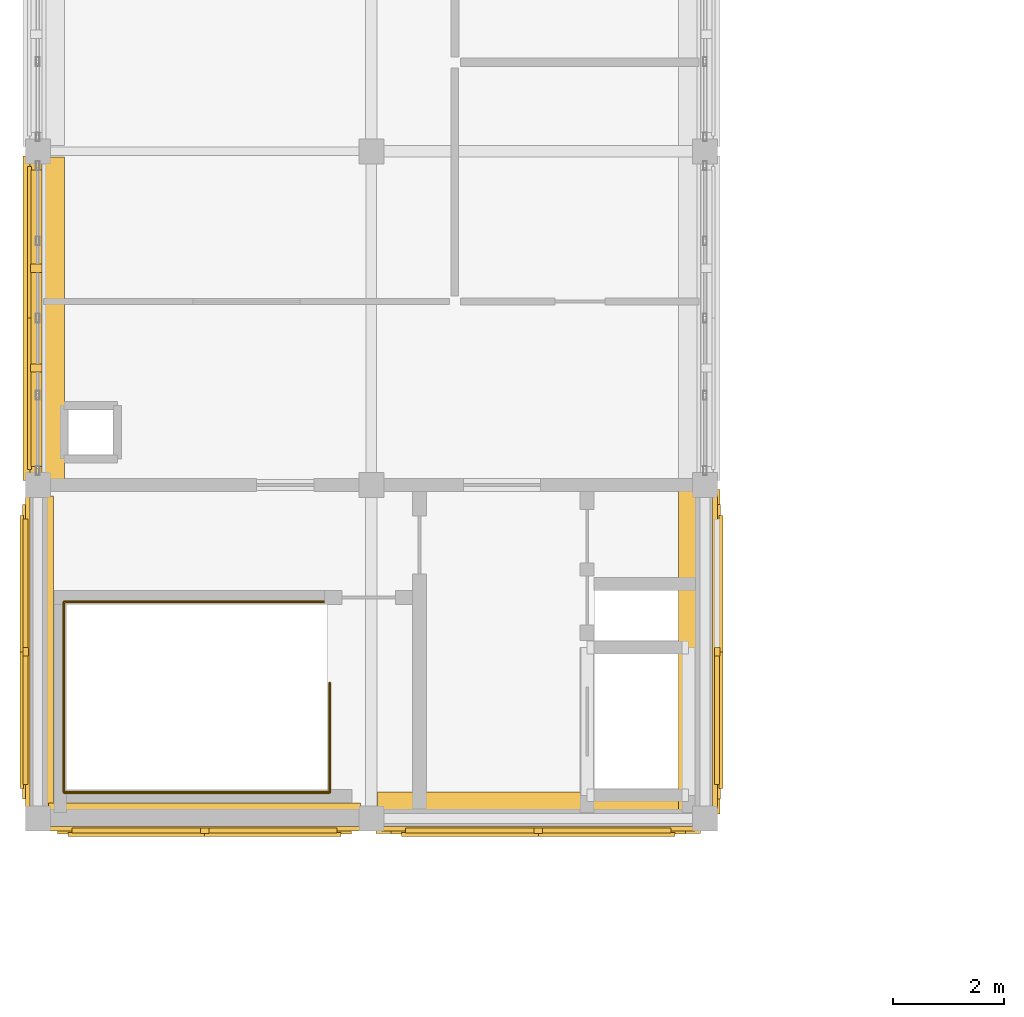
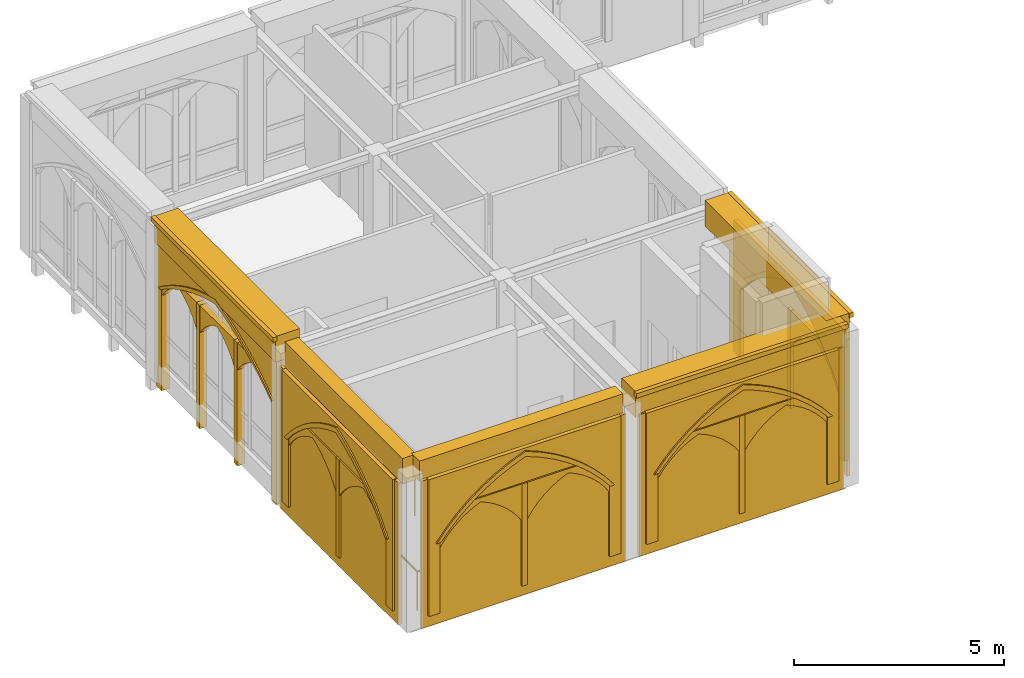
# One storey, part 47 of 59: 38 coverings, 1 railing.
"""IFC4 building model written with IfcOpenShell, lengths in metres."""

from ifc_helpers import new_model, si_unit, direction, frame, origin, origin_2d, place, context, subcontext, project, spatial, polyline, rectangle, circle, outline, extrude, material, type_object, element, save


model = new_model("IFC4")

# Units and contexts
model_context = context("Model", 3, precision=1e-05, world=origin(), true_north=direction((0.0, 1.0)))
body_context = subcontext(model_context, "Body", "Model", "MODEL_VIEW")
ifc_project = project(units=[si_unit("LENGTHUNIT", "METRE"), si_unit("AREAUNIT", "SQUARE_METRE"), si_unit("VOLUMEUNIT", "CUBIC_METRE"), si_unit("PLANEANGLEUNIT", "RADIAN"), si_unit("MASSUNIT", "GRAM", prefix="KILO")], contexts=[model_context])

# Site, building, storey
site_placement = place(None, origin())
site = spatial("IfcSite", under=ifc_project, at=site_placement, CompositionType="ELEMENT")
building_placement = place(site_placement, origin())
building = spatial("IfcBuilding", under=site, at=building_placement, Name="Cumevento Cable Car Station", CompositionType="ELEMENT")
storey_placement = place(building_placement, frame((0.0, 0.0, 18.0)))
storey = spatial("IfcBuildingStorey", under=building, at=storey_placement, Name="L05", CompositionType="ELEMENT", Elevation=18.0)

# Railing
ifc_material_1 = material(Name="Painted Galvanised Architectural Steel", Category="steel")
railing_type = type_object("IfcRailingType", Name="Stair Guardrail GR-S115", PredefinedType="GUARDRAIL", material=ifc_material_1)
railing_placement = place(storey_placement, frame((15.25, 29.43994140625, 0.0)))
element("IfcRailing", 1, at=railing_placement, inside=storey, type_object=railing_type, Name="Stairwell Opening Rim Guard ST-03-L04 L05", PredefinedType="GUARDRAIL", context=body_context, shape_type="SweptSolid", body=[
    extrude(circle(Radius=0.02392578125, at=origin_2d()), frame((0.0, 0.0, 1.1259765625), z_axis=(0.0, -1.0, 0.0), x_axis=(1.0, 0.0, 0.0)), (0.0, 0.0, 1.0), 1.969970703125),
    extrude(circle(Radius=0.02392578125, at=origin_2d()), frame((0.0, -1.969970703125, 1.1259765625), z_axis=(-1.0, 0.0, 0.0), x_axis=(0.0, -1.0, 0.0)), (0.0, 0.0, 1.0), 4.780029296875),
    extrude(circle(Radius=0.02392578125, at=origin_2d()), frame((-4.780029296875, -1.969970703125, 1.1259765625), z_axis=(0.0, 1.0, 0.0), x_axis=(-1.0, 0.0, 0.0)), (0.0, 0.0, 1.0), 3.429931640625),
    extrude(circle(Radius=0.02392578125, at=origin_2d()), frame((-4.780029296875, 1.4599609375, 1.1259765625), z_axis=(1.0, 0.0, 0.0), x_axis=(0.0, 1.0, 0.0)), (0.0, 0.0, 1.0), 4.780029296875),
    extrude(circle(Radius=0.02001953125, at=origin_2d()), origin(), (0.0, 0.0, 1.0), 1.101806640625),
    extrude(circle(Radius=0.02001953125, at=origin_2d()), frame((0.0, -0.98486328125, 0.0)), (0.0, 0.0, 1.0), 1.101806640625),
    extrude(circle(Radius=0.02001953125, at=origin_2d()), frame((0.0, -1.969970703125, 0.0)), (0.0, 0.0, 1.0), 1.101806640625),
    extrude(circle(Radius=0.02001953125, at=origin_2d()), frame((-0.9560546875, -1.969970703125, 0.0)), (0.0, 0.0, 1.0), 1.101806640625),
    extrude(circle(Radius=0.02001953125, at=origin_2d()), frame((-1.912109375, -1.969970703125, 0.0)), (0.0, 0.0, 1.0), 1.101806640625),
    extrude(circle(Radius=0.02001953125, at=origin_2d()), frame((-2.867919921875, -1.969970703125, 0.0)), (0.0, 0.0, 1.0), 1.101806640625),
    extrude(circle(Radius=0.02001953125, at=origin_2d()), frame((-3.823974609375, -1.969970703125, 0.0)), (0.0, 0.0, 1.0), 1.101806640625),
    extrude(circle(Radius=0.02001953125, at=origin_2d()), frame((-4.780029296875, -1.969970703125, 0.0)), (0.0, 0.0, 1.0), 1.101806640625),
    extrude(circle(Radius=0.02001953125, at=origin_2d()), frame((-4.780029296875, -1.112548828125, 0.0)), (0.0, 0.0, 1.0), 1.101806640625),
    extrude(circle(Radius=0.02001953125, at=origin_2d()), frame((-4.780029296875, -0.2548828125, 0.0)), (0.0, 0.0, 1.0), 1.101806640625),
    extrude(circle(Radius=0.02001953125, at=origin_2d()), frame((-4.780029296875, 0.6025390625, 0.0)), (0.0, 0.0, 1.0), 1.101806640625),
    extrude(circle(Radius=0.02001953125, at=origin_2d()), frame((-4.780029296875, 1.4599609375, 0.0)), (0.0, 0.0, 1.0), 1.101806640625),
    extrude(circle(Radius=0.02001953125, at=origin_2d()), frame((-3.823974609375, 1.4599609375, 0.0)), (0.0, 0.0, 1.0), 1.101806640625),
    extrude(circle(Radius=0.02001953125, at=origin_2d()), frame((-2.867919921875, 1.4599609375, 0.0)), (0.0, 0.0, 1.0), 1.101806640625),
    extrude(circle(Radius=0.02001953125, at=origin_2d()), frame((-1.912109375, 1.4599609375, 0.0)), (0.0, 0.0, 1.0), 1.101806640625),
    extrude(circle(Radius=0.02001953125, at=origin_2d()), frame((-0.9560546875, 1.4599609375, 0.0)), (0.0, 0.0, 1.0), 1.101806640625),
    extrude(circle(Radius=0.02001953125, at=origin_2d()), frame((0.0, 1.4599609375, 0.0)), (0.0, 0.0, 1.0), 1.101806640625),
])

# Coverings
ifc_material_2 = material(Name="Gnaisse Facoidal Stone Ashlar 85 MPa", Category="masonry")
covering_type = type_object("IfcCoveringType", Name="Gnaisse Ashlar Cladding CV-CL01", PredefinedType="CLADDING", material=ifc_material_2)
covering_1_placement = place(storey_placement, frame((13.0, 27.090087890625, 4.18798828125), z_axis=(0.0, 0.0, 1.0), x_axis=(-1.0, 0.0, 0.0)))
element("IfcCovering", 2, at=covering_1_placement, inside=storey, type_object=covering_type, Name="Gothic Stone Spandrel Stringcourse sc:0786", PredefinedType="CLADDING", context=body_context, shape_type="SweptSolid", body=[
    extrude(rectangle(XDim=5.610107421875, YDim=0.3798828125, at=origin_2d()), origin(), (0.0, 0.0, 1.0), 0.592041015625),
])
covering_2_placement = place(storey_placement, frame((19.0, 27.14990234375, 4.027099609375), z_axis=(0.0, 0.0, 1.0), x_axis=(-1.0, 0.0, 0.0)))
element("IfcCovering", 3, at=covering_2_placement, inside=storey, type_object=covering_type, Name="Gothic Stone Spandrel Stringcourse sc:0787", PredefinedType="CLADDING", context=body_context, shape_type="SweptSolid", body=[
    extrude(rectangle(XDim=5.7900390625, YDim=0.659912109375, at=origin_2d()), origin(), (0.0, 0.0, 1.0), 0.7529296875),
])
covering_3_placement = place(storey_placement, frame((19.0, 26.79248046875, 4.650146484375), z_axis=(0.0, 0.0, 1.0), x_axis=(-1.0, 0.0, 0.0)))
element("IfcCovering", 4, at=covering_3_placement, inside=storey, type_object=covering_type, Name="Gothic Cornice Dripstone Lip sc:0787", PredefinedType="CLADDING", context=body_context, shape_type="SweptSolid", body=[
    extrude(rectangle(XDim=5.830078125, YDim=0.114990234375, at=origin_2d()), origin(), (0.0, 0.0, 1.0), 0.1298828125),
])
covering_4_placement = place(storey_placement, frame((10.090087890625, 30.0, 4.032958984375), z_axis=(0.0, 0.0, 1.0), x_axis=(0.0, 1.0, 0.0)))
element("IfcCovering", 5, at=covering_4_placement, inside=storey, type_object=covering_type, Name="Gothic Stone Spandrel Stringcourse sc:0788", PredefinedType="CLADDING", context=body_context, shape_type="SweptSolid", body=[
    extrude(rectangle(XDim=5.610107421875, YDim=0.3798828125, at=origin_2d()), origin(), (0.0, 0.0, 1.0), 0.7470703125),
])
covering_5_placement = place(storey_placement, frame((21.85009765625, 30.0, 4.032958984375), z_axis=(0.0, 0.0, 1.0), x_axis=(0.0, -1.0, 0.0)))
element("IfcCovering", 6, at=covering_5_placement, inside=storey, type_object=covering_type, Name="Gothic Stone Spandrel Stringcourse sc:0789", PredefinedType="CLADDING", context=body_context, shape_type="SweptSolid", body=[
    extrude(rectangle(XDim=5.7900390625, YDim=0.659912109375, at=origin_2d()), origin(), (0.0, 0.0, 1.0), 0.7470703125),
])
covering_6_placement = place(storey_placement, frame((22.20751953125, 30.0, 4.650146484375), z_axis=(0.0, 0.0, 1.0), x_axis=(0.0, -1.0, 0.0)))
element("IfcCovering", 7, at=covering_6_placement, inside=storey, type_object=covering_type, Name="Gothic Cornice Dripstone Lip sc:0789", PredefinedType="CLADDING", context=body_context, shape_type="SweptSolid", body=[
    extrude(rectangle(XDim=5.830078125, YDim=0.114990234375, at=origin_2d()), origin(), (0.0, 0.0, 1.0), 0.1298828125),
])
covering_7_placement = place(storey_placement, frame((10.14990234375, 36.0, 4.032958984375), z_axis=(0.0, 0.0, 1.0), x_axis=(0.0, 1.0, 0.0)))
element("IfcCovering", 8, at=covering_7_placement, inside=storey, type_object=covering_type, Name="Gothic Stone Spandrel Stringcourse sc:0792", PredefinedType="CLADDING", context=body_context, shape_type="SweptSolid", body=[
    extrude(rectangle(XDim=5.7900390625, YDim=0.659912109375, at=origin_2d()), origin(), (0.0, 0.0, 1.0), 0.7470703125),
])
covering_8_placement = place(storey_placement, frame((9.79248046875, 36.0, 4.650146484375), z_axis=(0.0, 0.0, 1.0), x_axis=(0.0, 1.0, 0.0)))
element("IfcCovering", 9, at=covering_8_placement, inside=storey, type_object=covering_type, Name="Gothic Cornice Dripstone Lip sc:0792", PredefinedType="CLADDING", context=body_context, shape_type="SweptSolid", body=[
    extrude(rectangle(XDim=5.830078125, YDim=0.114990234375, at=origin_2d()), origin(), (0.0, 0.0, 1.0), 0.1298828125),
])
placement_1 = place(storey_placement, frame((10.0, 33.22509765625, -0.159912109375), z_axis=(0.0, 0.0, 1.0), x_axis=(0.0, 1.0, 0.0)))
element("IfcCovering", 10, at=placement_1, inside=storey, type_object=covering_type, Name="Gothic Ogival Pointed-Arch Stone Spandrel cw_ogival:0199", PredefinedType="CLADDING", context=body_context, shape_type="SweptSolid", body=[
    extrude(outline(polyline([(-0.080078125, 0.0), (-0.080078125, 4.3330078125), (5.6298828125, 4.3330078125), (5.6298828125, 0.0), (5.389892578125, 0.0), (5.389892578125, 2.966796875), (5.090576171875, 3.166748046875), (4.78173828125, 3.351806640625), (4.46435546875, 3.52197265625), (4.138916015625, 3.676513671875), (3.806640625, 3.815185546875), (3.468017578125, 3.9375), (3.1240234375, 4.043701171875), (2.77490234375, 4.133056640625), (2.426025390625, 4.043701171875), (2.08203125, 3.9375), (1.743408203125, 3.815185546875), (1.4111328125, 3.676513671875), (1.085693359375, 3.52197265625), (0.768310546875, 3.351806640625), (0.45947265625, 3.166748046875), (0.159912109375, 2.966796875), (0.159912109375, 0.0), (-0.080078125, 0.0)])), frame((0.0, 0.139892578125, 0.0), z_axis=(0.0, -1.0, 0.0), x_axis=(1.0, 0.0, 0.0)), (0.0, 0.0, 1.0), 0.219970703125),
])
covering_10_placement = place(storey_placement, frame((10.0, 33.22509765625, 2.806640625), z_axis=(0.0, 0.0, 1.0), x_axis=(0.0, 1.0, 0.0)))
element("IfcCovering", 11, at=covering_10_placement, inside=storey, type_object=covering_type, Name="Gothic Pointed Archivolt Hood Moulding cw_ogival:0199", PredefinedType="CLADDING", context=body_context, shape_type="SweptSolid", body=[
    extrude(outline(polyline([(0.159912109375, 0.0), (0.45947265625, 0.199951171875), (0.768310546875, 0.385009765625), (1.085693359375, 0.55517578125), (1.4111328125, 0.709716796875), (1.743408203125, 0.848388671875), (2.08203125, 0.970947265625), (2.426025390625, 1.076904296875), (2.77490234375, 1.166259765625), (3.1240234375, 1.076904296875), (3.468017578125, 0.970947265625), (3.806640625, 0.848388671875), (4.138916015625, 0.709716796875), (4.46435546875, 0.55517578125), (4.78173828125, 0.385009765625), (5.090576171875, 0.199951171875), (5.389892578125, 0.0), (5.5, 0.0), (5.19189453125, 0.22265625), (4.872802734375, 0.429443359375), (4.54345703125, 0.619384765625), (4.20458984375, 0.792236328125), (3.857666015625, 0.947509765625), (3.5029296875, 1.084716796875), (3.141845703125, 1.20361328125), (2.77490234375, 1.3037109375), (2.408203125, 1.20361328125), (2.047119140625, 1.084716796875), (1.6923828125, 0.947509765625), (1.345458984375, 0.792236328125), (1.006591796875, 0.619384765625), (0.67724609375, 0.429443359375), (0.358154296875, 0.22265625), (0.050048828125, 0.0), (0.159912109375, 0.0)])), frame((0.0, 0.181884765625, 0.0), z_axis=(0.0, -1.0, 0.0), x_axis=(1.0, 0.0, 0.0)), (0.0, 0.0, 1.0), 0.06689453125),
])
element("IfcCovering", 12, at=placement_1, inside=storey, type_object=covering_type, Name="Gothic Bifora Stone Colonnette cw_ogival:0199 #1", PredefinedType="CLADDING", context=body_context, shape_type="SweptSolid", body=[
    extrude(outline(polyline([(1.80322265625, -0.02001953125), (1.953369140625, -0.02001953125), (1.953369140625, 3.5732421875), (1.80322265625, 3.5732421875), (1.80322265625, -0.02001953125)])), frame((0.0, 0.1279296875, 0.0), z_axis=(0.0, -1.0, 0.0), x_axis=(1.0, 0.0, 0.0)), (0.0, 0.0, 1.0), 0.205078125),
])
element("IfcCovering", 13, at=placement_1, inside=storey, type_object=covering_type, Name="Gothic Bifora Stone Colonnette cw_ogival:0199 #2", PredefinedType="CLADDING", context=body_context, shape_type="SweptSolid", body=[
    extrude(outline(polyline([(3.5966796875, -0.02001953125), (3.74658203125, -0.02001953125), (3.74658203125, 3.5732421875), (3.5966796875, 3.5732421875), (3.5966796875, -0.02001953125)])), frame((0.0, 0.1279296875, 0.0), z_axis=(0.0, -1.0, 0.0), x_axis=(1.0, 0.0, 0.0)), (0.0, 0.0, 1.0), 0.205078125),
])
for number, where, z_axis, x_axis, name in (
    (14, (10.0, 33.35498046875, 2.626708984375), (0.0, 0.0, 1.0), (0.0, 1.0, 0.0), "Gothic Ogival Pointed-Arch Stone Spandrel cw_ogival:0199:sub:0"),
    (15, (10.0, 35.1484375, 2.626708984375), (0.0, 0.0, 1.0), (0.0, 1.0, 0.0), "Gothic Ogival Pointed-Arch Stone Spandrel cw_ogival:0199:sub:1"),
    (16, (10.0, 36.941650390625, 2.626708984375), (0.0, 0.0, 1.0), (0.0, 1.0, 0.0), "Gothic Ogival Pointed-Arch Stone Spandrel cw_ogival:0199:sub:2"),
):
    element("IfcCovering", number, at=place(storey_placement, frame(where, z_axis=z_axis, x_axis=x_axis)), inside=storey, type_object=covering_type, Name=name, PredefinedType="CLADDING", context=body_context, shape_type="SweptSolid", body=[
        extrude(outline(polyline([(-0.02001953125, 0.0), (-0.02001953125, 0.78662109375), (1.723388671875, 0.78662109375), (1.723388671875, 0.0), (1.663330078125, 0.0), (1.56005859375, 0.144775390625), (1.442138671875, 0.278076171875), (1.310791015625, 0.39794921875), (1.16748046875, 0.50341796875), (1.013916015625, 0.59326171875), (0.8515625, 0.66650390625), (0.689453125, 0.59326171875), (0.535888671875, 0.50341796875), (0.392578125, 0.39794921875), (0.26123046875, 0.278076171875), (0.143310546875, 0.144775390625), (0.0400390625, 0.0), (-0.02001953125, 0.0)])), frame((0.0, 0.1240234375, 0.0), z_axis=(0.0, -1.0, 0.0), x_axis=(1.0, 0.0, 0.0)), (0.0, 0.0, 1.0), 0.199951171875),
    ])
covering_13_placement = place(storey_placement, frame((15.77490234375, 27.0, 0.0), z_axis=(0.0, 0.0, 1.0), x_axis=(-1.0, 0.0, 0.0)))
element("IfcCovering", 17, at=covering_13_placement, inside=storey, type_object=covering_type, Name="Exterior Gnaisse Stone Wall Ashlar #298", PredefinedType="CLADDING", context=body_context, shape_type="SweptSolid", body=[
    extrude(outline(polyline([(-0.0400390625, -0.02001953125), (5.590087890625, -0.02001953125), (5.590087890625, 4.26806640625), (-0.0400390625, 4.26806640625), (-0.0400390625, -0.02001953125)])), frame((0.0, 0.222412109375, 0.0), z_axis=(0.0, -1.0, 0.0), x_axis=(1.0, 0.0, 0.0)), (0.0, 0.0, 1.0), 0.0849609375),
])
placement_2 = place(storey_placement, frame((15.594970703125, 27.0, 0.300048828125), z_axis=(0.0, 0.0, 1.0), x_axis=(-1.0, 0.0, 0.0)))
element("IfcCovering", 18, at=placement_2, inside=storey, type_object=covering_type, Name="Gothic Ogival Pointed-Arch Stone Spandrel blind_ogival:0298", PredefinedType="CLADDING", context=body_context, shape_type="SweptSolid", body=[
    extrude(outline(polyline([(-0.050048828125, 0.0), (-0.050048828125, 3.988037109375), (5.239990234375, 3.988037109375), (5.239990234375, 0.0), (4.929931640625, 0.0), (4.929931640625, 2.078857421875), (4.661865234375, 2.398681640625), (4.368408203125, 2.6953125), (4.051513671875, 2.967041015625), (3.71337890625, 3.211669921875), (3.356201171875, 3.427490234375), (2.982666015625, 3.613525390625), (2.594970703125, 3.76806640625), (2.207275390625, 3.613525390625), (1.833740234375, 3.427490234375), (1.4765625, 3.211669921875), (1.138427734375, 2.967041015625), (0.821533203125, 2.6953125), (0.528076171875, 2.398681640625), (0.260009765625, 2.078857421875), (0.260009765625, 0.0), (-0.050048828125, 0.0)])), frame((0.0, 0.277587890625, 0.0), z_axis=(0.0, -1.0, 0.0), x_axis=(1.0, 0.0, 0.0)), (0.0, 0.0, 1.0), 0.110107421875),
])
covering_15_placement = place(storey_placement, frame((15.594970703125, 27.0, 2.37890625), z_axis=(0.0, 0.0, 1.0), x_axis=(-1.0, 0.0, 0.0)))
element("IfcCovering", 19, at=covering_15_placement, inside=storey, type_object=covering_type, Name="Gothic Pointed Archivolt Hood Moulding blind_ogival:0298", PredefinedType="CLADDING", context=body_context, shape_type="SweptSolid", body=[
    extrude(outline(polyline([(0.260009765625, 0.0), (0.528076171875, 0.31982421875), (0.821533203125, 0.616455078125), (1.138427734375, 0.88818359375), (1.4765625, 1.1328125), (1.833740234375, 1.3486328125), (2.207275390625, 1.53466796875), (2.594970703125, 1.689208984375), (2.982666015625, 1.53466796875), (3.356201171875, 1.3486328125), (3.71337890625, 1.1328125), (4.051513671875, 0.88818359375), (4.368408203125, 0.616455078125), (4.661865234375, 0.31982421875), (4.929931640625, 0.0), (5.051025390625, 0.0), (4.773193359375, 0.347412109375), (4.46728515625, 0.670166015625), (4.13525390625, 0.966064453125), (3.779296875, 1.232666015625), (3.402099609375, 1.468505859375), (3.00634765625, 1.67138671875), (2.594970703125, 1.84033203125), (2.18359375, 1.67138671875), (1.787841796875, 1.468505859375), (1.41064453125, 1.232666015625), (1.0546875, 0.966064453125), (0.72265625, 0.670166015625), (0.416748046875, 0.347412109375), (0.138916015625, 0.0), (0.260009765625, 0.0)])), frame((0.0, 0.319580078125, 0.0), z_axis=(0.0, -1.0, 0.0), x_axis=(1.0, 0.0, 0.0)), (0.0, 0.0, 1.0), 0.06689453125),
])
element("IfcCovering", 20, at=placement_2, inside=storey, type_object=covering_type, Name="Gothic Bifora Stone Colonnette blind_ogival:0298 #1", PredefinedType="CLADDING", context=body_context, shape_type="SweptSolid", body=[
    extrude(outline(polyline([(2.52001953125, -0.02001953125), (2.669921875, -0.02001953125), (2.669921875, 2.957275390625), (2.52001953125, 2.957275390625), (2.52001953125, -0.02001953125)])), frame((0.0, 0.265380859375, 0.0), z_axis=(0.0, -1.0, 0.0), x_axis=(1.0, 0.0, 0.0)), (0.0, 0.0, 1.0), 0.094970703125),
])
for number, where, z_axis, x_axis, name in (
    (21, (15.364990234375, 27.0, 2.198974609375), (0.0, 0.0, 1.0), (-1.0, 0.0, 0.0), "Gothic Ogival Pointed-Arch Stone Spandrel blind_ogival:0298:sub:0"),
    (22, (12.955078125, 27.0, 2.198974609375), (0.0, 0.0, 1.0), (-1.0, 0.0, 0.0), "Gothic Ogival Pointed-Arch Stone Spandrel blind_ogival:0298:sub:1"),
):
    element("IfcCovering", number, at=place(storey_placement, frame(where, z_axis=z_axis, x_axis=x_axis)), inside=storey, type_object=covering_type, Name=name, PredefinedType="CLADDING", context=body_context, shape_type="SweptSolid", body=[
        extrude(outline(polyline([(-0.02001953125, 0.0), (-0.02001953125, 1.058349609375), (2.340087890625, 1.058349609375), (2.340087890625, 0.0), (2.280029296875, 0.0), (2.138916015625, 0.20361328125), (1.97705078125, 0.390869140625), (1.7958984375, 0.559814453125), (1.597900390625, 0.70849609375), (1.38525390625, 0.8349609375), (1.159912109375, 0.938232421875), (0.934814453125, 0.8349609375), (0.72216796875, 0.70849609375), (0.524169921875, 0.559814453125), (0.343017578125, 0.390869140625), (0.18115234375, 0.20361328125), (0.0400390625, 0.0), (-0.02001953125, 0.0)])), frame((0.0, 0.261474609375, 0.0), z_axis=(0.0, -1.0, 0.0), x_axis=(1.0, 0.0, 0.0)), (0.0, 0.0, 1.0), 0.090087890625),
    ])
covering_17_placement = place(storey_placement, frame((21.77490234375, 27.0, 0.0), z_axis=(0.0, 0.0, 1.0), x_axis=(-1.0, 0.0, 0.0)))
element("IfcCovering", 23, at=covering_17_placement, inside=storey, type_object=covering_type, Name="Exterior Gnaisse Stone Wall Ashlar #299", PredefinedType="CLADDING", context=body_context, shape_type="SweptSolid", body=[
    extrude(outline(polyline([(-0.0400390625, -0.02001953125), (5.590087890625, -0.02001953125), (5.590087890625, 4.10693359375), (-0.0400390625, 4.10693359375), (-0.0400390625, -0.02001953125)])), frame((0.0, 0.222412109375, 0.0), z_axis=(0.0, -1.0, 0.0), x_axis=(1.0, 0.0, 0.0)), (0.0, 0.0, 1.0), 0.0849609375),
])
placement_3 = place(storey_placement, frame((21.594970703125, 27.0, 0.300048828125), z_axis=(0.0, 0.0, 1.0), x_axis=(-1.0, 0.0, 0.0)))
element("IfcCovering", 24, at=placement_3, inside=storey, type_object=covering_type, Name="Gothic Ogival Pointed-Arch Stone Spandrel blind_ogival:0299", PredefinedType="CLADDING", context=body_context, shape_type="SweptSolid", body=[
    extrude(outline(polyline([(-0.050048828125, 0.0), (-0.050048828125, 3.826904296875), (5.239990234375, 3.826904296875), (5.239990234375, 0.0), (4.929931640625, 0.0), (4.929931640625, 1.98876953125), (4.6572265625, 2.296142578125), (4.360595703125, 2.5810546875), (4.04248046875, 2.84130859375), (3.704833984375, 3.075439453125), (3.349365234375, 3.281982421875), (2.978515625, 3.45947265625), (2.594970703125, 3.607177734375), (2.21142578125, 3.45947265625), (1.840576171875, 3.281982421875), (1.485107421875, 3.075439453125), (1.1474609375, 2.84130859375), (0.829345703125, 2.5810546875), (0.53271484375, 2.296142578125), (0.260009765625, 1.98876953125), (0.260009765625, 0.0), (-0.050048828125, 0.0)])), frame((0.0, 0.277587890625, 0.0), z_axis=(0.0, -1.0, 0.0), x_axis=(1.0, 0.0, 0.0)), (0.0, 0.0, 1.0), 0.110107421875),
])
covering_19_placement = place(storey_placement, frame((21.594970703125, 27.0, 2.288818359375), z_axis=(0.0, 0.0, 1.0), x_axis=(-1.0, 0.0, 0.0)))
element("IfcCovering", 25, at=covering_19_placement, inside=storey, type_object=covering_type, Name="Gothic Pointed Archivolt Hood Moulding blind_ogival:0299", PredefinedType="CLADDING", context=body_context, shape_type="SweptSolid", body=[
    extrude(outline(polyline([(0.260009765625, 0.0), (0.53271484375, 0.307373046875), (0.829345703125, 0.59228515625), (1.1474609375, 0.8525390625), (1.485107421875, 1.086669921875), (1.840576171875, 1.293212890625), (2.21142578125, 1.470703125), (2.594970703125, 1.618408203125), (2.978515625, 1.470703125), (3.349365234375, 1.293212890625), (3.704833984375, 1.086669921875), (4.04248046875, 0.8525390625), (4.360595703125, 0.59228515625), (4.6572265625, 0.307373046875), (4.929931640625, 0.0), (5.051025390625, 0.0), (4.7685546875, 0.335205078125), (4.45947265625, 0.64599609375), (4.1259765625, 0.9306640625), (3.7705078125, 1.186767578125), (3.39501953125, 1.4130859375), (3.002197265625, 1.607666015625), (2.594970703125, 1.76953125), (2.187744140625, 1.607666015625), (1.794921875, 1.4130859375), (1.41943359375, 1.186767578125), (1.06396484375, 0.9306640625), (0.73046875, 0.64599609375), (0.42138671875, 0.335205078125), (0.138916015625, 0.0), (0.260009765625, 0.0)])), frame((0.0, 0.319580078125, 0.0), z_axis=(0.0, -1.0, 0.0), x_axis=(1.0, 0.0, 0.0)), (0.0, 0.0, 1.0), 0.06689453125),
])
element("IfcCovering", 26, at=placement_3, inside=storey, type_object=covering_type, Name="Gothic Bifora Stone Colonnette blind_ogival:0299 #1", PredefinedType="CLADDING", context=body_context, shape_type="SweptSolid", body=[
    extrude(outline(polyline([(2.52001953125, -0.02001953125), (2.669921875, -0.02001953125), (2.669921875, 2.830078125), (2.52001953125, 2.830078125), (2.52001953125, -0.02001953125)])), frame((0.0, 0.265380859375, 0.0), z_axis=(0.0, -1.0, 0.0), x_axis=(1.0, 0.0, 0.0)), (0.0, 0.0, 1.0), 0.094970703125),
])
for number, where, z_axis, x_axis, name in (
    (27, (21.364990234375, 27.0, 2.108642578125), (0.0, 0.0, 1.0), (-1.0, 0.0, 0.0), "Gothic Ogival Pointed-Arch Stone Spandrel blind_ogival:0299:sub:0"),
    (28, (18.955078125, 27.0, 2.108642578125), (0.0, 0.0, 1.0), (-1.0, 0.0, 0.0), "Gothic Ogival Pointed-Arch Stone Spandrel blind_ogival:0299:sub:1"),
):
    element("IfcCovering", number, at=place(storey_placement, frame(where, z_axis=z_axis, x_axis=x_axis)), inside=storey, type_object=covering_type, Name=name, PredefinedType="CLADDING", context=body_context, shape_type="SweptSolid", body=[
        extrude(outline(polyline([(-0.02001953125, 0.0), (-0.02001953125, 1.021484375), (2.340087890625, 1.021484375), (2.340087890625, 0.0), (2.280029296875, 0.0), (2.135986328125, 0.1962890625), (1.972412109375, 0.37646484375), (1.791015625, 0.538818359375), (1.593505859375, 0.681396484375), (1.382568359375, 0.802734375), (1.159912109375, 0.901611328125), (0.9375, 0.802734375), (0.7265625, 0.681396484375), (0.529052734375, 0.538818359375), (0.34765625, 0.37646484375), (0.18408203125, 0.1962890625), (0.0400390625, 0.0), (-0.02001953125, 0.0)])), frame((0.0, 0.261474609375, 0.0), z_axis=(0.0, -1.0, 0.0), x_axis=(1.0, 0.0, 0.0)), (0.0, 0.0, 1.0), 0.090087890625),
    ])
covering_21_placement = place(storey_placement, frame((10.0, 27.22509765625, 0.0), z_axis=(0.0, 0.0, 1.0), x_axis=(0.0, 1.0, 0.0)))
element("IfcCovering", 29, at=covering_21_placement, inside=storey, type_object=covering_type, Name="Exterior Gnaisse Stone Wall Ashlar #300", PredefinedType="CLADDING", context=body_context, shape_type="SweptSolid", body=[
    extrude(outline(polyline([(-0.0400390625, -0.02001953125), (5.590087890625, -0.02001953125), (5.590087890625, 4.113037109375), (-0.0400390625, 4.113037109375), (-0.0400390625, -0.02001953125)])), frame((0.0, 0.222412109375, 0.0), z_axis=(0.0, -1.0, 0.0), x_axis=(1.0, 0.0, 0.0)), (0.0, 0.0, 1.0), 0.0849609375),
])
placement_4 = place(storey_placement, frame((10.0, 27.405029296875, 0.300048828125), z_axis=(0.0, 0.0, 1.0), x_axis=(0.0, 1.0, 0.0)))
element("IfcCovering", 30, at=placement_4, inside=storey, type_object=covering_type, Name="Gothic Ogival Pointed-Arch Stone Spandrel blind_ogival:0300", PredefinedType="CLADDING", context=body_context, shape_type="SweptSolid", body=[
    extrude(outline(polyline([(-0.050048828125, 0.0), (-0.050048828125, 3.8330078125), (5.239990234375, 3.8330078125), (5.239990234375, 0.0), (4.929931640625, 0.0), (4.929931640625, 1.9921875), (4.6572265625, 2.300048828125), (4.361083984375, 2.585205078125), (4.04296875, 2.845947265625), (3.705078125, 3.08056640625), (3.349609375, 3.287353515625), (2.978759765625, 3.465087890625), (2.594970703125, 3.61279296875), (2.211181640625, 3.465087890625), (1.84033203125, 3.287353515625), (1.48486328125, 3.08056640625), (1.14697265625, 2.845947265625), (0.828857421875, 2.585205078125), (0.53271484375, 2.300048828125), (0.260009765625, 1.9921875), (0.260009765625, 0.0), (-0.050048828125, 0.0)])), frame((0.0, 0.277587890625, 0.0), z_axis=(0.0, -1.0, 0.0), x_axis=(1.0, 0.0, 0.0)), (0.0, 0.0, 1.0), 0.110107421875),
])
covering_23_placement = place(storey_placement, frame((10.0, 27.405029296875, 2.2919921875), z_axis=(0.0, 0.0, 1.0), x_axis=(0.0, 1.0, 0.0)))
element("IfcCovering", 31, at=covering_23_placement, inside=storey, type_object=covering_type, Name="Gothic Pointed Archivolt Hood Moulding blind_ogival:0300", PredefinedType="CLADDING", context=body_context, shape_type="SweptSolid", body=[
    extrude(outline(polyline([(0.260009765625, 0.0), (0.53271484375, 0.307861328125), (0.828857421875, 0.593017578125), (1.14697265625, 0.853759765625), (1.48486328125, 1.08837890625), (1.84033203125, 1.295166015625), (2.211181640625, 1.47314453125), (2.594970703125, 1.620849609375), (2.978759765625, 1.47314453125), (3.349609375, 1.295166015625), (3.705078125, 1.08837890625), (4.04296875, 0.853759765625), (4.361083984375, 0.593017578125), (4.6572265625, 0.307861328125), (4.929931640625, 0.0), (5.051025390625, 0.0), (4.7685546875, 0.335693359375), (4.459716796875, 0.64697265625), (4.12646484375, 0.931884765625), (3.770751953125, 1.1884765625), (3.395263671875, 1.4150390625), (3.00244140625, 1.610107421875), (2.594970703125, 1.772216796875), (2.1875, 1.610107421875), (1.794677734375, 1.4150390625), (1.419189453125, 1.1884765625), (1.0634765625, 0.931884765625), (0.730224609375, 0.64697265625), (0.42138671875, 0.335693359375), (0.138916015625, 0.0), (0.260009765625, 0.0)])), frame((0.0, 0.319580078125, 0.0), z_axis=(0.0, -1.0, 0.0), x_axis=(1.0, 0.0, 0.0)), (0.0, 0.0, 1.0), 0.06689453125),
])
element("IfcCovering", 32, at=placement_4, inside=storey, type_object=covering_type, Name="Gothic Bifora Stone Colonnette blind_ogival:0300 #1", PredefinedType="CLADDING", context=body_context, shape_type="SweptSolid", body=[
    extrude(outline(polyline([(2.52001953125, -0.02001953125), (2.669921875, -0.02001953125), (2.669921875, 2.8349609375), (2.52001953125, 2.8349609375), (2.52001953125, -0.02001953125)])), frame((0.0, 0.265380859375, 0.0), z_axis=(0.0, -1.0, 0.0), x_axis=(1.0, 0.0, 0.0)), (0.0, 0.0, 1.0), 0.094970703125),
])
for number, where, z_axis, x_axis, name in (
    (33, (10.0, 27.635009765625, 2.112060546875), (0.0, 0.0, 1.0), (0.0, 1.0, 0.0), "Gothic Ogival Pointed-Arch Stone Spandrel blind_ogival:0300:sub:0"),
    (34, (10.0, 30.044921875, 2.112060546875), (0.0, 0.0, 1.0), (0.0, 1.0, 0.0), "Gothic Ogival Pointed-Arch Stone Spandrel blind_ogival:0300:sub:1"),
):
    element("IfcCovering", number, at=place(storey_placement, frame(where, z_axis=z_axis, x_axis=x_axis)), inside=storey, type_object=covering_type, Name=name, PredefinedType="CLADDING", context=body_context, shape_type="SweptSolid", body=[
        extrude(outline(polyline([(-0.02001953125, 0.0), (-0.02001953125, 1.02294921875), (2.340087890625, 1.02294921875), (2.340087890625, 0.0), (2.280029296875, 0.0), (2.13623046875, 0.196533203125), (1.97265625, 0.376953125), (1.791015625, 0.53955078125), (1.59375, 0.682373046875), (1.382568359375, 0.803955078125), (1.159912109375, 0.90283203125), (0.9375, 0.803955078125), (0.726318359375, 0.682373046875), (0.529052734375, 0.53955078125), (0.347412109375, 0.376953125), (0.183837890625, 0.196533203125), (0.0400390625, 0.0), (-0.02001953125, 0.0)])), frame((0.0, 0.261474609375, 0.0), z_axis=(0.0, -1.0, 0.0), x_axis=(1.0, 0.0, 0.0)), (0.0, 0.0, 1.0), 0.090087890625),
    ])
covering_25_placement = place(storey_placement, frame((22.0, 32.77490234375, 0.0), z_axis=(0.0, 0.0, 1.0), x_axis=(0.0, -1.0, 0.0)))
element("IfcCovering", 35, at=covering_25_placement, inside=storey, type_object=covering_type, Name="Exterior Gnaisse Stone Wall Ashlar #301", PredefinedType="CLADDING", context=body_context, shape_type="SweptSolid", body=[
    extrude(outline(polyline([(-0.0400390625, -0.02001953125), (5.590087890625, -0.02001953125), (5.590087890625, 4.113037109375), (-0.0400390625, 4.113037109375), (-0.0400390625, -0.02001953125)])), frame((0.0, 0.222412109375, 0.0), z_axis=(0.0, -1.0, 0.0), x_axis=(1.0, 0.0, 0.0)), (0.0, 0.0, 1.0), 0.0849609375),
])
placement_5 = place(storey_placement, frame((22.0, 32.594970703125, 0.300048828125), z_axis=(0.0, 0.0, 1.0), x_axis=(0.0, -1.0, 0.0)))
element("IfcCovering", 36, at=placement_5, inside=storey, type_object=covering_type, Name="Gothic Ogival Pointed-Arch Stone Spandrel blind_ogival:0301", PredefinedType="CLADDING", context=body_context, shape_type="SweptSolid", body=[
    extrude(outline(polyline([(-0.050048828125, 0.0), (-0.050048828125, 3.8330078125), (5.239990234375, 3.8330078125), (5.239990234375, 0.0), (4.929931640625, 0.0), (4.929931640625, 1.9921875), (4.6572265625, 2.300048828125), (4.361083984375, 2.585205078125), (4.04296875, 2.845947265625), (3.705078125, 3.08056640625), (3.349609375, 3.287353515625), (2.978759765625, 3.465087890625), (2.594970703125, 3.61279296875), (2.211181640625, 3.465087890625), (1.84033203125, 3.287353515625), (1.48486328125, 3.08056640625), (1.14697265625, 2.845947265625), (0.828857421875, 2.585205078125), (0.53271484375, 2.300048828125), (0.260009765625, 1.9921875), (0.260009765625, 0.0), (-0.050048828125, 0.0)])), frame((0.0, 0.277587890625, 0.0), z_axis=(0.0, -1.0, 0.0), x_axis=(1.0, 0.0, 0.0)), (0.0, 0.0, 1.0), 0.110107421875),
])
covering_27_placement = place(storey_placement, frame((22.0, 32.594970703125, 2.2919921875), z_axis=(0.0, 0.0, 1.0), x_axis=(0.0, -1.0, 0.0)))
element("IfcCovering", 37, at=covering_27_placement, inside=storey, type_object=covering_type, Name="Gothic Pointed Archivolt Hood Moulding blind_ogival:0301", PredefinedType="CLADDING", context=body_context, shape_type="SweptSolid", body=[
    extrude(outline(polyline([(0.260009765625, 0.0), (0.53271484375, 0.307861328125), (0.828857421875, 0.593017578125), (1.14697265625, 0.853759765625), (1.48486328125, 1.08837890625), (1.84033203125, 1.295166015625), (2.211181640625, 1.47314453125), (2.594970703125, 1.620849609375), (2.978759765625, 1.47314453125), (3.349609375, 1.295166015625), (3.705078125, 1.08837890625), (4.04296875, 0.853759765625), (4.361083984375, 0.593017578125), (4.6572265625, 0.307861328125), (4.929931640625, 0.0), (5.051025390625, 0.0), (4.7685546875, 0.335693359375), (4.459716796875, 0.64697265625), (4.12646484375, 0.931884765625), (3.770751953125, 1.1884765625), (3.395263671875, 1.4150390625), (3.00244140625, 1.610107421875), (2.594970703125, 1.772216796875), (2.1875, 1.610107421875), (1.794677734375, 1.4150390625), (1.419189453125, 1.1884765625), (1.0634765625, 0.931884765625), (0.730224609375, 0.64697265625), (0.42138671875, 0.335693359375), (0.138916015625, 0.0), (0.260009765625, 0.0)])), frame((0.0, 0.319580078125, 0.0), z_axis=(0.0, -1.0, 0.0), x_axis=(1.0, 0.0, 0.0)), (0.0, 0.0, 1.0), 0.06689453125),
])
element("IfcCovering", 38, at=placement_5, inside=storey, type_object=covering_type, Name="Gothic Bifora Stone Colonnette blind_ogival:0301 #1", PredefinedType="CLADDING", context=body_context, shape_type="SweptSolid", body=[
    extrude(outline(polyline([(2.52001953125, -0.02001953125), (2.669921875, -0.02001953125), (2.669921875, 2.8349609375), (2.52001953125, 2.8349609375), (2.52001953125, -0.02001953125)])), frame((0.0, 0.265380859375, 0.0), z_axis=(0.0, -1.0, 0.0), x_axis=(1.0, 0.0, 0.0)), (0.0, 0.0, 1.0), 0.094970703125),
])
covering_29_placement = place(storey_placement, frame((22.0, 29.955078125, 2.112060546875), z_axis=(0.0, 0.0, 1.0), x_axis=(0.0, -1.0, 0.0)))
element("IfcCovering", 39, at=covering_29_placement, inside=storey, type_object=covering_type, Name="Gothic Ogival Pointed-Arch Stone Spandrel blind_ogival:0301:sub:1", PredefinedType="CLADDING", context=body_context, shape_type="SweptSolid", body=[
    extrude(outline(polyline([(-0.02001953125, 0.0), (-0.02001953125, 1.02294921875), (2.340087890625, 1.02294921875), (2.340087890625, 0.0), (2.280029296875, 0.0), (2.13623046875, 0.196533203125), (1.97265625, 0.376953125), (1.791015625, 0.53955078125), (1.59375, 0.682373046875), (1.382568359375, 0.803955078125), (1.159912109375, 0.90283203125), (0.9375, 0.803955078125), (0.726318359375, 0.682373046875), (0.529052734375, 0.53955078125), (0.347412109375, 0.376953125), (0.183837890625, 0.196533203125), (0.0400390625, 0.0), (-0.02001953125, 0.0)])), frame((0.0, 0.261474609375, 0.0), z_axis=(0.0, -1.0, 0.0), x_axis=(1.0, 0.0, 0.0)), (0.0, 0.0, 1.0), 0.090087890625),
])

save(model, "model.ifc")
